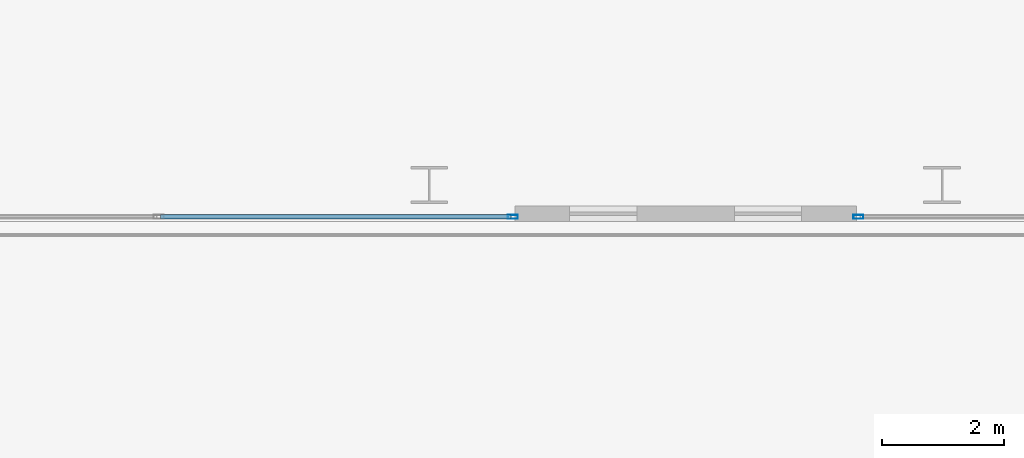
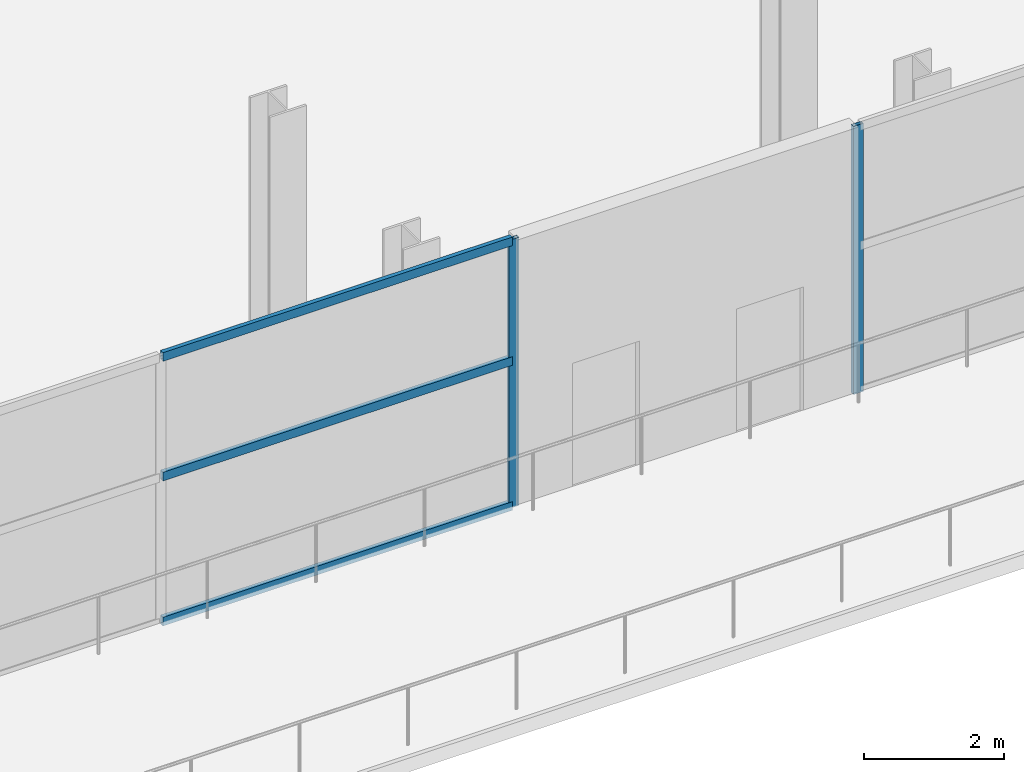
# One storey, part 5 of 31: 5 members, 2 elements without a shape of their own.
"""IFC4 building model written with IfcOpenShell, lengths in metres."""

from ifc_helpers import new_model, si_unit, direction, frame, origin, origin_2d, place, context, subcontext, project, spatial, hollow_rectangle, extrude, material, layer, layer_set, material_profile, profile_set, type_object, element, aggregate, save


model = new_model("IFC4")

# Units and contexts
model_context = context("Model", 3, precision=1e-05, world=origin(), true_north=direction((0.0, 1.0)))
body_context = subcontext(model_context, "Body", "Model", "MODEL_VIEW")
ifc_project = project(units=[si_unit("LENGTHUNIT", "METRE"), si_unit("AREAUNIT", "SQUARE_METRE"), si_unit("VOLUMEUNIT", "CUBIC_METRE"), si_unit("PLANEANGLEUNIT", "RADIAN"), si_unit("MASSUNIT", "GRAM", prefix="KILO")], contexts=[model_context])

# Site, building, storey
site_placement = place(None, origin())
site = spatial("IfcSite", under=ifc_project, at=site_placement, CompositionType="ELEMENT")
building_placement = place(site_placement, origin())
building = spatial("IfcBuilding", under=site, at=building_placement, Name="Maruvema Waterfront Hotel and Observation Tower", CompositionType="ELEMENT")
storey_placement = place(building_placement, frame((0.0, 0.0, 122.5)))
storey = spatial("IfcBuildingStorey", under=building, at=storey_placement, Name="L29", CompositionType="ELEMENT", Elevation=122.5)

# Curtain wall, members
ifc_material_1 = material(Name="Anodised bronze aluminium and solar-control low-E IGU", Category="aluminium")
ifc_layer = layer(ifc_material_1, 0.159912109375, Name="Zone 2 Amber Inner Thermal Curtain Wall System CW-03")
ifc_layer_set = layer_set([ifc_layer], Name="Anodised bronze aluminium and solar-control low-E IGU")
curtain_wall_type = type_object("IfcCurtainWallType", Name="Zone 2 Amber Inner Thermal Curtain Wall System CW-03", PredefinedType="USERDEFINED", material=ifc_layer_set)
curtain_wall_1_placement = place(storey_placement, origin())
curtain_wall_1 = element("IfcCurtainWall", 1, at=curtain_wall_1_placement, inside=storey, type_object=curtain_wall_type, Name="L29 Curtain Wall CW-L29-SW", ObjectType="UNITISED CURTAIN WALL", PredefinedType="USERDEFINED")
ifc_material_2 = material(Name="Anodised architectural bronze aluminium", Category="aluminium")
ifc_material_profile_1 = material_profile(ifc_material_2, hollow_rectangle(XDim=0.070068359375, YDim=0.14990234375, WallThickness=0.00390625, at=origin_2d()), Name="ALU-T70x150")
ifc_profile_set_1 = profile_set([ifc_material_profile_1], Name="Anodised architectural bronze aluminium")
member_type_1 = type_object("IfcMemberType", Name="Curtain Wall Horizontal Transom ALU-T70x150", PredefinedType="USERDEFINED", material=ifc_profile_set_1)
member_1_placement = place(storey_placement, frame((29.19677734375, 4.679931640625, 0.030029296875), z_axis=(1.0, 0.0, 0.0), x_axis=(0.0, 1.0, 0.0)))
member_1 = element("IfcMember", 2, at=member_1_placement, type_object=member_type_1, Name="CW-03 transom 3.1", ObjectType="TRANSOM", PredefinedType="USERDEFINED", context=body_context, shape_type="SweptSolid", body=[
    extrude(hollow_rectangle(XDim=0.070068359375, YDim=0.14990234375, WallThickness=0.00390625, at=origin_2d()), origin(), (0.0, 0.0, 1.0), 5.7431640625),
])
member_2_placement = place(storey_placement, frame((29.19677734375, 4.679931640625, 2.550048828125), z_axis=(1.0, 0.0, 0.0), x_axis=(0.0, 1.0, 0.0)))
member_2 = element("IfcMember", 3, at=member_2_placement, type_object=member_type_1, Name="CW-03 transom 3.2", ObjectType="TRANSOM", PredefinedType="USERDEFINED", context=body_context, shape_type="SweptSolid", body=[
    extrude(hollow_rectangle(XDim=0.070068359375, YDim=0.14990234375, WallThickness=0.00390625, at=origin_2d()), origin(), (0.0, 0.0, 1.0), 5.7431640625),
])
member_3_placement = place(storey_placement, frame((29.19677734375, 4.679931640625, 4.6298828125), z_axis=(1.0, 0.0, 0.0), x_axis=(0.0, 1.0, 0.0)))
member_3 = element("IfcMember", 4, at=member_3_placement, type_object=member_type_1, Name="CW-03 transom 3.3", ObjectType="TRANSOM", PredefinedType="USERDEFINED", context=body_context, shape_type="SweptSolid", body=[
    extrude(hollow_rectangle(XDim=0.070068359375, YDim=0.14990234375, WallThickness=0.00390625, at=origin_2d()), origin(), (0.0, 0.0, 1.0), 5.7431640625),
])
ifc_material_3 = material(Name="Anodised architectural bronze aluminium", Category="aluminium")
ifc_material_profile_2 = material_profile(ifc_material_3, hollow_rectangle(XDim=0.06494140625, YDim=0.1650390625, WallThickness=0.00390625, at=origin_2d()), Name="ALU-M65x165")
ifc_profile_set_2 = profile_set([ifc_material_profile_2], Name="Anodised architectural bronze aluminium")
member_type_2 = type_object("IfcMemberType", Name="Curtain Wall Primary Mullion ALU-M65x165", PredefinedType="MULLION", material=ifc_profile_set_2)
member_4_placement = place(storey_placement, frame((34.969970703125, 4.679931640625, 0.0), z_axis=(0.0, 0.0, 1.0), x_axis=(0.0, 1.0, 0.0)))
member_4 = element("IfcMember", 5, at=member_4_placement, type_object=member_type_2, Name="CW-03 mullion 4", PredefinedType="MULLION", context=body_context, shape_type="SweptSolid", body=[
    extrude(hollow_rectangle(XDim=0.06494140625, YDim=0.1650390625, WallThickness=0.00390625, at=origin_2d()), origin(), (0.0, 0.0, 1.0), 4.659912109375),
])
aggregate(curtain_wall_1, [member_4, member_1, member_2, member_3])

# Curtain wall, member
curtain_wall_2_placement = place(storey_placement, origin())
curtain_wall_2 = element("IfcCurtainWall", 6, at=curtain_wall_2_placement, inside=storey, type_object=curtain_wall_type, Name="L29 Curtain Wall CW-L29-SE", ObjectType="UNITISED CURTAIN WALL", PredefinedType="USERDEFINED")
member_5_placement = place(storey_placement, frame((40.6298828125, 4.679931640625, 0.0), z_axis=(0.0, 0.0, 1.0), x_axis=(0.0, 1.0, 0.0)))
member_5 = element("IfcMember", 7, at=member_5_placement, type_object=member_type_2, Name="CW-03 mullion 1", PredefinedType="MULLION", context=body_context, shape_type="SweptSolid", body=[
    extrude(hollow_rectangle(XDim=0.06494140625, YDim=0.1650390625, WallThickness=0.00390625, at=origin_2d()), origin(), (0.0, 0.0, 1.0), 4.659912109375),
])
aggregate(curtain_wall_2, [member_5])

save(model, "model.ifc")
